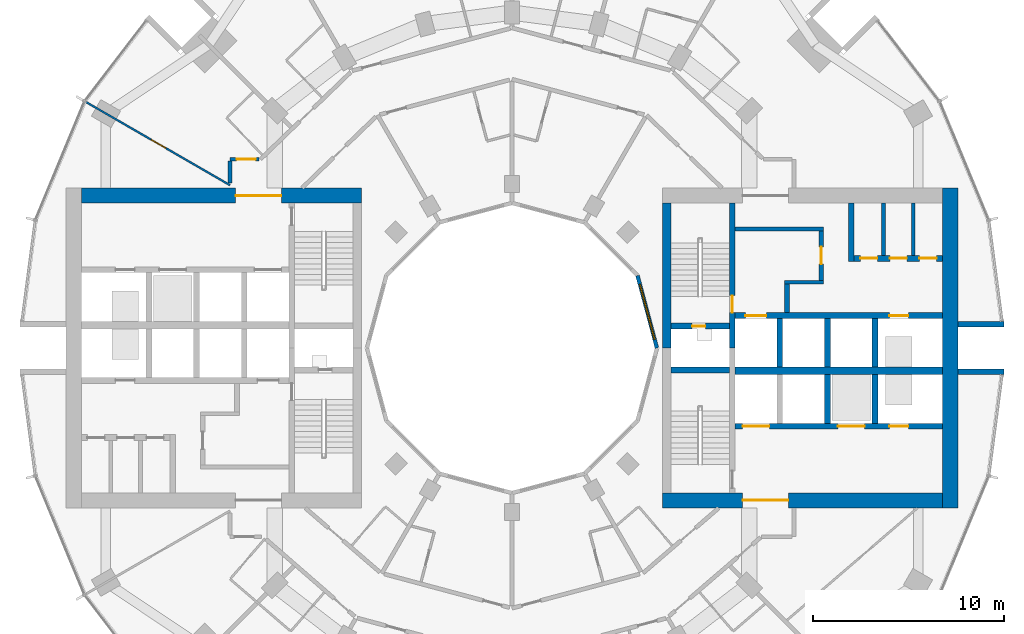
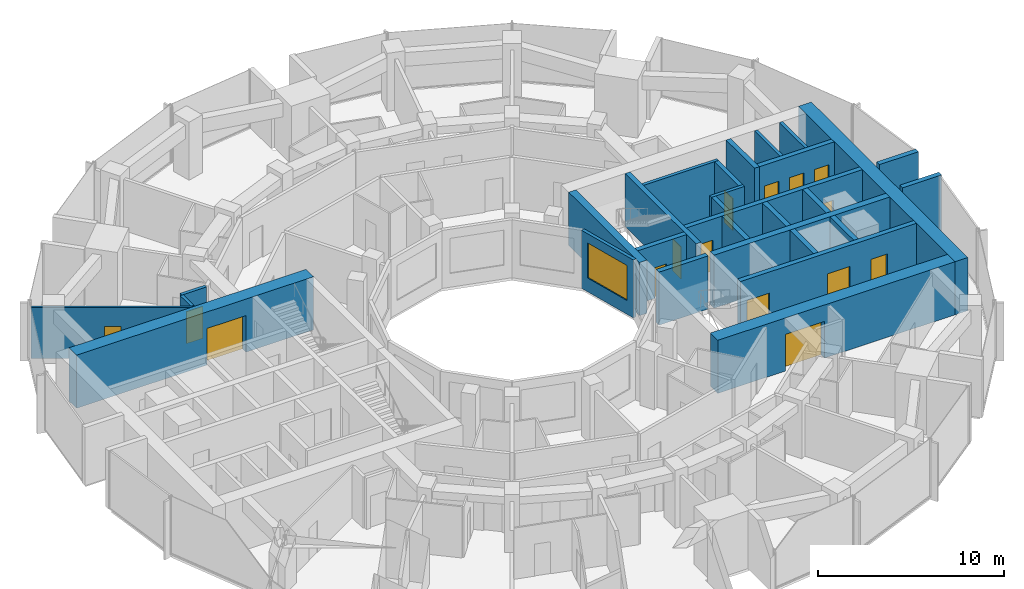
# One storey, part 11 of 15: 29 walls, 15 doors, 1 window, 16 openings.
"""IFC4 building model written with IfcOpenShell, lengths in metres."""

from ifc_helpers import new_model, si_unit, direction, frame, frame_2d, origin, place, context, subcontext, project, spatial, rectangle, extrude, material, layer, layer_set, type_object, element, fill, save


model = new_model("IFC4")

# Units and contexts
model_context = context("Model", 3, precision=1e-05, world=origin(), true_north=direction((0.0, 1.0)))
body_context = subcontext(model_context, "Body", "Model", "MODEL_VIEW")
ifc_project = project(units=[si_unit("LENGTHUNIT", "METRE"), si_unit("AREAUNIT", "SQUARE_METRE"), si_unit("VOLUMEUNIT", "CUBIC_METRE"), si_unit("PLANEANGLEUNIT", "RADIAN"), si_unit("MASSUNIT", "GRAM", prefix="KILO")], contexts=[model_context])

# Site, building, storey
site_placement = place(None, origin())
site = spatial("IfcSite", under=ifc_project, at=site_placement, CompositionType="ELEMENT")
building_placement = place(site_placement, origin())
building = spatial("IfcBuilding", under=site, at=building_placement, Name="Torre Brocal", CompositionType="ELEMENT")
storey_placement = place(building_placement, frame((0.0, 0.0, 55.39990234375)))
storey = spatial("IfcBuildingStorey", under=building, at=storey_placement, Name="L12", CompositionType="ELEMENT", Elevation=55.39990234375)

# Walls
ifc_material_1 = material(Name="Masonry block", Category="masonry")
ifc_layer_1 = layer(ifc_material_1, 0.199951171875)
ifc_layer_set_1 = layer_set([ifc_layer_1], Name="Masonry block")
wall_type_1 = type_object("IfcWallType", Name="CORE PARTITION 200", PredefinedType="PARTITIONING", material=ifc_layer_set_1)
for number, where, z_axis, x_axis, name in (
    (1, (99.5, 79.85009765625, 0.0), (0.0, 0.0, 1.0), (0.0, 1.0, 0.0), "Wall CP200"),
    (2, (101.050048828125, 79.85009765625, 0.0), (0.0, 0.0, 1.0), (0.0, 1.0, 0.0), "Wall CP200"),
):
    element("IfcWall", number, at=place(storey_placement, frame(where, z_axis=z_axis, x_axis=x_axis)), inside=storey, type_object=wall_type_1, Name=name, PredefinedType="PARTITIONING", context=body_context, shape_type="SweptSolid", body=[
        extrude(rectangle(XDim=2.75, YDim=0.199951171875, at=frame_2d((1.375, 0.0))), origin(), (0.0, 0.0, 1.0), 3.47998046875),
    ])
ifc_material_2 = material(Name="Concrete C80", Category="concrete")
ifc_layer_2 = layer(ifc_material_2, 0.199951171875)
ifc_layer_set_2 = layer_set([ifc_layer_2], Name="Concrete C80")
wall_type_2 = type_object("IfcWallType", Name="CORE WALL 200 C80", PredefinedType="SHEAR", material=ifc_layer_set_2)
wall_1_placement = place(storey_placement, frame((91.699951171875, 81.25, 0.0), z_axis=(0.0, 0.0, 1.0), x_axis=(1.0, 0.0, 0.0)))
element("IfcWall", 3, at=wall_1_placement, inside=storey, type_object=wall_type_2, Name="Wall CW200-80", PredefinedType="SHEAR", context=body_context, shape_type="SweptSolid", body=[
    extrude(rectangle(XDim=4.650146484375, YDim=0.199951171875, at=frame_2d((2.3251953125, 0.0))), origin(), (0.0, 0.0, 1.0), 3.47998046875),
])
wall_2_placement = place(storey_placement, frame((94.300048828125, 78.449951171875, 0.0), z_axis=(0.0, 0.0, 1.0), x_axis=(1.0, 0.0, 0.0)))
element("IfcWall", 4, at=wall_2_placement, inside=storey, type_object=wall_type_2, Name="Wall CW200-80", PredefinedType="SHEAR", context=body_context, shape_type="SweptSolid", body=[
    extrude(rectangle(XDim=2.050048828125, YDim=0.199951171875, at=frame_2d((1.02490234375, 0.0))), origin(), (0.0, 0.0, 1.0), 3.47998046875),
])

# Wall, opening, door
ifc_material_3 = material(Name="Concrete C80", Category="concrete")
ifc_layer_3 = layer(ifc_material_3, 0.25)
ifc_layer_set_3 = layer_set([ifc_layer_3], Name="Concrete C80")
wall_type_3 = type_object("IfcWallType", Name="CORE WALL 250 C80", PredefinedType="SHEAR", material=ifc_layer_set_3)
wall_3_placement = place(storey_placement, frame((96.22509765625, 78.550048828125, 0.0), z_axis=(0.0, 0.0, 1.0), x_axis=(0.0, 1.0, 0.0)))
wall_3 = element("IfcWall", 5, at=wall_3_placement, inside=storey, type_object=wall_type_3, Name="Wall CW250-80", PredefinedType="SHEAR", context=body_context, shape_type="SweptSolid", body=[
    extrude(rectangle(XDim=2.599853515625, YDim=0.25, at=frame_2d((1.2998046875, 0.0))), origin(), (0.0, 0.0, 1.0), 3.47998046875),
])
opening_1_placement = place(wall_3_placement, frame((0.85009765625, 0.0, 0.0)))
opening_1 = element("IfcOpeningElement", 6, at=opening_1_placement, cuts=wall_3, Name="Opening E-D15", PredefinedType="OPENING", context=body_context, shape_type="SweptSolid", body=[
    extrude(rectangle(XDim=0.89990234375, YDim=2.10009765625, at=frame_2d((0.449951171875, 1.050048828125))), frame((0.0, 0.135009765625, 0.0), z_axis=(0.0, -1.0, 0.0), x_axis=(1.0, 0.0, 0.0)), (0.0, 0.0, 1.0), 0.27001953125),
])
ifc_material_4 = material(Name="Steel A653", Category="steel")
door_type_1 = type_object("IfcDoorType", Name="LOBBY DOOR FD120 900X2100", OperationType="SINGLE_SWING_RIGHT", PredefinedType="DOOR", material=ifc_material_4)
door_1_placement = place(opening_1_placement, origin())
door_1 = element("IfcDoor", 7, at=door_1_placement, inside=storey, type_object=door_type_1, Name="Door E-D15", OperationType="SINGLE_SWING_LEFT", OverallHeight=2.10009765625, OverallWidth=0.89990234375, PredefinedType="DOOR", context=body_context, shape_type="SweptSolid", body=[
    extrude(rectangle(XDim=0.89990234375, YDim=2.10009765625, at=frame_2d((0.449951171875, 1.050048828125))), frame((0.0, 0.02490234375, 0.0), z_axis=(0.0, -1.0, 0.0), x_axis=(1.0, 0.0, 0.0)), (0.0, 0.0, 1.0), 0.050048828125),
])
fill(opening_1, door_1)

# Wall
wall_4_placement = place(storey_placement, frame((94.425048828125, 76.85009765625, 0.0), z_axis=(0.0, 0.0, 1.0), x_axis=(0.0, 1.0, 0.0)))
element("IfcWall", 8, at=wall_4_placement, inside=storey, type_object=wall_type_3, Name="Wall CW250-80", PredefinedType="SHEAR", context=body_context, shape_type="SweptSolid", body=[
    extrude(rectangle(XDim=1.5, YDim=0.25, at=frame_2d((0.75, 0.0))), origin(), (0.0, 0.0, 1.0), 3.47998046875),
])

# Wall, opening, door
ifc_material_5 = material(Name="Concrete C80", Category="concrete")
ifc_layer_4 = layer(ifc_material_5, 0.300048828125)
ifc_layer_set_4 = layer_set([ifc_layer_4], Name="Concrete C80")
wall_type_4 = type_object("IfcWallType", Name="CORE WALL 300 C80", PredefinedType="SHEAR", material=ifc_layer_set_4)
wall_5_placement = place(storey_placement, frame((91.550048828125, 75.0, 0.0), z_axis=(0.0, 0.0, 1.0), x_axis=(0.0, 1.0, 0.0)))
wall_5 = element("IfcWall", 9, at=wall_5_placement, inside=storey, type_object=wall_type_4, Name="Wall CW300-80", PredefinedType="SHEAR", context=body_context, shape_type="SweptSolid", body=[
    extrude(rectangle(XDim=7.60009765625, YDim=0.300048828125, at=frame_2d((3.800048828125, 0.0))), origin(), (0.0, 0.0, 1.0), 3.47998046875),
])
opening_2_placement = place(wall_5_placement, frame((1.85009765625, 0.0, 0.0)))
opening_2 = element("IfcOpeningElement", 10, at=opening_2_placement, cuts=wall_5, Name="Opening E-D02", PredefinedType="OPENING", context=body_context, shape_type="SweptSolid", body=[
    extrude(rectangle(XDim=0.89990234375, YDim=2.10009765625, at=frame_2d((0.449951171875, 1.050048828125))), frame((0.0, 0.159912109375, 0.0), z_axis=(0.0, -1.0, 0.0), x_axis=(1.0, 0.0, 0.0)), (0.0, 0.0, 1.0), 0.320068359375),
])
ifc_material_6 = material(Name="Steel A653", Category="steel")
door_type_2 = type_object("IfcDoorType", Name="STAIR DOOR FD120 900X2100", OperationType="SINGLE_SWING_RIGHT", PredefinedType="DOOR", material=ifc_material_6)
door_2_placement = place(opening_2_placement, origin())
door_2 = element("IfcDoor", 11, at=door_2_placement, inside=storey, type_object=door_type_2, Name="Door E-D02", OperationType="SINGLE_SWING_LEFT", OverallHeight=2.10009765625, OverallWidth=0.89990234375, PredefinedType="DOOR", context=body_context, shape_type="SweptSolid", body=[
    extrude(rectangle(XDim=0.89990234375, YDim=2.10009765625, at=frame_2d((0.449951171875, 1.050048828125))), frame((0.0, 0.02490234375, 0.0), z_axis=(0.0, -1.0, 0.0), x_axis=(1.0, 0.0, 0.0)), (0.0, 0.0, 1.0), 0.050048828125),
])
fill(opening_2, door_2)

wall_6_placement = place(storey_placement, frame((88.35009765625, 76.14990234375, 0.0), z_axis=(0.0, 0.0, 1.0), x_axis=(1.0, 0.0, 0.0)))
wall_6 = element("IfcWall", 12, at=wall_6_placement, inside=storey, type_object=wall_type_4, Name="Wall CW300-80", PredefinedType="SHEAR", context=body_context, shape_type="SweptSolid", body=[
    extrude(rectangle(XDim=3.0498046875, YDim=0.300048828125, at=frame_2d((1.52490234375, 0.0))), origin(), (0.0, 0.0, 1.0), 3.47998046875),
])
opening_3_placement = place(wall_6_placement, frame((1.10009765625, 0.0, 0.0)))
opening_3 = element("IfcOpeningElement", 13, at=opening_3_placement, cuts=wall_6, Name="Opening E-D01", PredefinedType="OPENING", context=body_context, shape_type="SweptSolid", body=[
    extrude(rectangle(XDim=0.699951171875, YDim=2.0, at=frame_2d((0.35009765625, 1.0))), frame((0.0, 0.159912109375, 0.0), z_axis=(0.0, -1.0, 0.0), x_axis=(1.0, 0.0, 0.0)), (0.0, 0.0, 1.0), 0.320068359375),
])
ifc_material_7 = material(Name="Steel A653", Category="steel")
door_type_3 = type_object("IfcDoorType", Name="RISER DOOR FD120 700X2000", OperationType="SINGLE_SWING_LEFT", PredefinedType="DOOR", material=ifc_material_7)
door_3_placement = place(opening_3_placement, frame((0.699951171875, 0.0, 0.0), z_axis=(0.0, 0.0, 1.0), x_axis=(-1.0, 0.0, 0.0)))
door_3 = element("IfcDoor", 14, at=door_3_placement, inside=storey, type_object=door_type_3, Name="Door E-D01", OperationType="SINGLE_SWING_RIGHT", OverallHeight=2.0, OverallWidth=0.699951171875, PredefinedType="DOOR", context=body_context, shape_type="SweptSolid", body=[
    extrude(rectangle(XDim=0.699951171875, YDim=2.0, at=frame_2d((0.35009765625, 1.0))), frame((0.0, 0.02490234375, 0.0), z_axis=(0.0, -1.0, 0.0), x_axis=(1.0, 0.0, 0.0)), (0.0, 0.0, 1.0), 0.050048828125),
])
fill(opening_3, door_3)

# Wall
wall_7_placement = place(storey_placement, frame((88.35009765625, 73.85009765625, 0.0), z_axis=(0.0, 0.0, 1.0), x_axis=(1.0, 0.0, 0.0)))
element("IfcWall", 15, at=wall_7_placement, inside=storey, type_object=wall_type_4, Name="Wall CW300-80", PredefinedType="SHEAR", context=body_context, shape_type="SweptSolid", body=[
    extrude(rectangle(XDim=3.0498046875, YDim=0.300048828125, at=frame_2d((1.52490234375, 0.0))), origin(), (0.0, 0.0, 1.0), 3.47998046875),
])

# Wall, openings, doors
wall_8_placement = place(storey_placement, frame((91.699951171875, 76.699951171875, 0.0), z_axis=(0.0, 0.0, 1.0), x_axis=(1.0, 0.0, 0.0)))
wall_8 = element("IfcWall", 16, at=wall_8_placement, inside=storey, type_object=wall_type_4, Name="Wall CW300-80", PredefinedType="SHEAR", context=body_context, shape_type="SweptSolid", body=[
    extrude(rectangle(XDim=10.900146484375, YDim=0.300048828125, at=frame_2d((5.4501953125, 0.0))), origin(), (0.0, 0.0, 1.0), 3.47998046875),
])
opening_4_placement = place(wall_8_placement, frame((0.550048828125, 0.0, 0.0)))
opening_4 = element("IfcOpeningElement", 17, at=opening_4_placement, cuts=wall_8, Name="Opening LD", PredefinedType="OPENING", context=body_context, shape_type="SweptSolid", body=[
    extrude(rectangle(XDim=1.10009765625, YDim=2.10009765625, at=frame_2d((0.550048828125, 1.050048828125))), frame((0.0, 0.159912109375, 0.0), z_axis=(0.0, -1.0, 0.0), x_axis=(1.0, 0.0, 0.0)), (0.0, 0.0, 1.0), 0.320068359375),
])
opening_5_placement = place(wall_8_placement, frame((8.10009765625, 0.0, 0.0)))
opening_5 = element("IfcOpeningElement", 18, at=opening_5_placement, cuts=wall_8, Name="Opening LD10", PredefinedType="OPENING", context=body_context, shape_type="SweptSolid", body=[
    extrude(rectangle(XDim=1.0, YDim=2.10009765625, at=frame_2d((0.5, 1.050048828125))), frame((0.0, 0.159912109375, 0.0), z_axis=(0.0, -1.0, 0.0), x_axis=(1.0, 0.0, 0.0)), (0.0, 0.0, 1.0), 0.320068359375),
])
ifc_material_8 = material(Name="Stainless steel AISI 316", Category="steel")
door_type_4 = type_object("IfcDoorType", Name="LIFT LANDING DOOR 1000X2100", OperationType="DOUBLE_DOOR_SLIDING", PredefinedType="DOOR", material=ifc_material_8)
door_4_placement = place(opening_5_placement, origin())
door_4 = element("IfcDoor", 19, at=door_4_placement, inside=storey, type_object=door_type_4, Name="Door LD10", OperationType="DOUBLE_DOOR_SLIDING", OverallHeight=2.10009765625, OverallWidth=1.0, PredefinedType="DOOR", context=body_context, shape_type="SweptSolid", body=[
    extrude(rectangle(XDim=1.0, YDim=2.10009765625, at=frame_2d((0.5, 1.050048828125))), frame((0.0, 0.02490234375, 0.0), z_axis=(0.0, -1.0, 0.0), x_axis=(1.0, 0.0, 0.0)), (0.0, 0.0, 1.0), 0.050048828125),
])
fill(opening_5, door_4)
ifc_material_9 = material(Name="Stainless steel AISI 316", Category="steel")
door_type_5 = type_object("IfcDoorType", Name="LIFT LANDING DOOR 1100X2100", OperationType="DOUBLE_DOOR_SLIDING", PredefinedType="DOOR", material=ifc_material_9)
door_5_placement = place(opening_4_placement, origin())
door_5 = element("IfcDoor", 20, at=door_5_placement, inside=storey, type_object=door_type_5, Name="Door LD", OperationType="DOUBLE_DOOR_SLIDING", OverallHeight=2.10009765625, OverallWidth=1.10009765625, PredefinedType="DOOR", context=body_context, shape_type="SweptSolid", body=[
    extrude(rectangle(XDim=1.10009765625, YDim=2.10009765625, at=frame_2d((0.550048828125, 1.050048828125))), frame((0.0, 0.02490234375, 0.0), z_axis=(0.0, -1.0, 0.0), x_axis=(1.0, 0.0, 0.0)), (0.0, 0.0, 1.0), 0.050048828125),
])
fill(opening_4, door_5)

wall_9_placement = place(storey_placement, frame((91.699951171875, 70.89990234375, 0.0), z_axis=(0.0, 0.0, 1.0), x_axis=(1.0, 0.0, 0.0)))
wall_9 = element("IfcWall", 21, at=wall_9_placement, inside=storey, type_object=wall_type_4, Name="Wall CW300-80", PredefinedType="SHEAR", context=body_context, shape_type="SweptSolid", body=[
    extrude(rectangle(XDim=10.900146484375, YDim=0.300048828125, at=frame_2d((5.4501953125, 0.0))), origin(), (0.0, 0.0, 1.0), 3.47998046875),
])
opening_6_placement = place(wall_9_placement, frame((0.39990234375, 0.0, 0.0)))
opening_6 = element("IfcOpeningElement", 22, at=opening_6_placement, cuts=wall_9, Name="Opening LD14", PredefinedType="OPENING", context=body_context, shape_type="SweptSolid", body=[
    extrude(rectangle(XDim=1.39990234375, YDim=2.10009765625, at=frame_2d((0.699951171875, 1.050048828125))), frame((0.0, 0.159912109375, 0.0), z_axis=(0.0, -1.0, 0.0), x_axis=(1.0, 0.0, 0.0)), (0.0, 0.0, 1.0), 0.320068359375),
])
opening_7_placement = place(wall_9_placement, frame((5.39990234375, 0.0, 0.0)))
opening_7 = element("IfcOpeningElement", 23, at=opening_7_placement, cuts=wall_9, Name="Opening LD14", PredefinedType="OPENING", context=body_context, shape_type="SweptSolid", body=[
    extrude(rectangle(XDim=1.39990234375, YDim=2.10009765625, at=frame_2d((0.699951171875, 1.050048828125))), frame((0.0, 0.159912109375, 0.0), z_axis=(0.0, -1.0, 0.0), x_axis=(1.0, 0.0, 0.0)), (0.0, 0.0, 1.0), 0.320068359375),
])
opening_8_placement = place(wall_9_placement, frame((8.10009765625, 0.0, 0.0)))
opening_8 = element("IfcOpeningElement", 24, at=opening_8_placement, cuts=wall_9, Name="Opening LD10", PredefinedType="OPENING", context=body_context, shape_type="SweptSolid", body=[
    extrude(rectangle(XDim=1.0, YDim=2.10009765625, at=frame_2d((0.5, 1.050048828125))), frame((0.0, 0.159912109375, 0.0), z_axis=(0.0, -1.0, 0.0), x_axis=(1.0, 0.0, 0.0)), (0.0, 0.0, 1.0), 0.320068359375),
])
door_6_placement = place(opening_8_placement, origin())
door_6 = element("IfcDoor", 25, at=door_6_placement, inside=storey, type_object=door_type_4, Name="Door LD10", OperationType="DOUBLE_DOOR_SLIDING", OverallHeight=2.10009765625, OverallWidth=1.0, PredefinedType="DOOR", context=body_context, shape_type="SweptSolid", body=[
    extrude(rectangle(XDim=1.0, YDim=2.10009765625, at=frame_2d((0.5, 1.050048828125))), frame((0.0, 0.02490234375, 0.0), z_axis=(0.0, -1.0, 0.0), x_axis=(1.0, 0.0, 0.0)), (0.0, 0.0, 1.0), 0.050048828125),
])
fill(opening_8, door_6)
ifc_material_10 = material(Name="Stainless steel AISI 316", Category="steel")
door_type_6 = type_object("IfcDoorType", Name="LIFT LANDING DOOR 1400X2100", OperationType="DOUBLE_DOOR_SLIDING", PredefinedType="DOOR", material=ifc_material_10)
door_7_placement = place(opening_6_placement, origin())
door_7 = element("IfcDoor", 26, at=door_7_placement, inside=storey, type_object=door_type_6, Name="Door LD14", OperationType="DOUBLE_DOOR_SLIDING", OverallHeight=2.10009765625, OverallWidth=1.39990234375, PredefinedType="DOOR", context=body_context, shape_type="SweptSolid", body=[
    extrude(rectangle(XDim=1.39990234375, YDim=2.10009765625, at=frame_2d((0.699951171875, 1.050048828125))), frame((0.0, 0.02490234375, 0.0), z_axis=(0.0, -1.0, 0.0), x_axis=(1.0, 0.0, 0.0)), (0.0, 0.0, 1.0), 0.050048828125),
])
fill(opening_6, door_7)
door_8_placement = place(opening_7_placement, origin())
door_8 = element("IfcDoor", 27, at=door_8_placement, inside=storey, type_object=door_type_6, Name="Door LD14", OperationType="DOUBLE_DOOR_SLIDING", OverallHeight=2.10009765625, OverallWidth=1.39990234375, PredefinedType="DOOR", context=body_context, shape_type="SweptSolid", body=[
    extrude(rectangle(XDim=1.39990234375, YDim=2.10009765625, at=frame_2d((0.699951171875, 1.050048828125))), frame((0.0, 0.02490234375, 0.0), z_axis=(0.0, -1.0, 0.0), x_axis=(1.0, 0.0, 0.0)), (0.0, 0.0, 1.0), 0.050048828125),
])
fill(opening_7, door_8)

# Walls
for number, where, z_axis, x_axis, name in (
    (28, (94.050048828125, 74.0, 0.0), (0.0, 0.0, 1.0), (0.0, 1.0, 0.0), "Wall CW300-80"),
    (29, (96.550048828125, 74.0, 0.0), (0.0, 0.0, 1.0), (0.0, 1.0, 0.0), "Wall CW300-80"),
    (30, (99.050048828125, 74.0, 0.0), (0.0, 0.0, 1.0), (0.0, 1.0, 0.0), "Wall CW300-80"),
    (31, (96.550048828125, 71.050048828125, 0.0), (0.0, 0.0, 1.0), (0.0, 1.0, 0.0), "Wall CW300-80"),
    (32, (99.050048828125, 71.050048828125, 0.0), (0.0, 0.0, 1.0), (0.0, 1.0, 0.0), "Wall CW300-80"),
):
    element("IfcWall", number, at=place(storey_placement, frame(where, z_axis=z_axis, x_axis=x_axis)), inside=storey, type_object=wall_type_4, Name=name, PredefinedType="SHEAR", context=body_context, shape_type="SweptSolid", body=[
        extrude(rectangle(XDim=2.550048828125, YDim=0.300048828125, at=frame_2d((1.27490234375, 0.0))), origin(), (0.0, 0.0, 1.0), 3.47998046875),
    ])
wall_10_placement = place(storey_placement, frame((97.800048828125, 79.550048828125, 0.0), z_axis=(0.0, 0.0, 1.0), x_axis=(0.0, 1.0, 0.0)))
element("IfcWall", 33, at=wall_10_placement, inside=storey, type_object=wall_type_4, Name="Wall CW300-80", PredefinedType="SHEAR", context=body_context, shape_type="SweptSolid", body=[
    extrude(rectangle(XDim=3.050048828125, YDim=0.300048828125, at=frame_2d((1.52490234375, 0.0))), origin(), (0.0, 0.0, 1.0), 3.47998046875),
])

# Wall, openings, doors
wall_11_placement = place(storey_placement, frame((97.949951171875, 79.699951171875, 0.0), z_axis=(0.0, 0.0, 1.0), x_axis=(1.0, 0.0, 0.0)))
wall_11 = element("IfcWall", 34, at=wall_11_placement, inside=storey, type_object=wall_type_4, Name="Wall CW300-80", PredefinedType="SHEAR", context=body_context, shape_type="SweptSolid", body=[
    extrude(rectangle(XDim=4.650146484375, YDim=0.300048828125, at=frame_2d((2.3251953125, 0.0))), origin(), (0.0, 0.0, 1.0), 3.47998046875),
])
opening_9_placement = place(wall_11_placement, frame((0.324951171875, 0.0, 0.0)))
opening_9 = element("IfcOpeningElement", 35, at=opening_9_placement, cuts=wall_11, Name="Opening E-D05", PredefinedType="OPENING", context=body_context, shape_type="SweptSolid", body=[
    extrude(rectangle(XDim=0.89990234375, YDim=2.10009765625, at=frame_2d((0.449951171875, 1.050048828125))), frame((0.0, 0.159912109375, 0.0), z_axis=(0.0, -1.0, 0.0), x_axis=(1.0, 0.0, 0.0)), (0.0, 0.0, 1.0), 0.320068359375),
])
opening_10_placement = place(wall_11_placement, frame((1.875, 0.0, 0.0)))
opening_10 = element("IfcOpeningElement", 36, at=opening_10_placement, cuts=wall_11, Name="Opening E-D06", PredefinedType="OPENING", context=body_context, shape_type="SweptSolid", body=[
    extrude(rectangle(XDim=0.89990234375, YDim=2.10009765625, at=frame_2d((0.449951171875, 1.050048828125))), frame((0.0, 0.159912109375, 0.0), z_axis=(0.0, -1.0, 0.0), x_axis=(1.0, 0.0, 0.0)), (0.0, 0.0, 1.0), 0.320068359375),
])
opening_11_placement = place(wall_11_placement, frame((3.425048828125, 0.0, 0.0)))
opening_11 = element("IfcOpeningElement", 37, at=opening_11_placement, cuts=wall_11, Name="Opening E-D07", PredefinedType="OPENING", context=body_context, shape_type="SweptSolid", body=[
    extrude(rectangle(XDim=0.89990234375, YDim=2.10009765625, at=frame_2d((0.449951171875, 1.050048828125))), frame((0.0, 0.159912109375, 0.0), z_axis=(0.0, -1.0, 0.0), x_axis=(1.0, 0.0, 0.0)), (0.0, 0.0, 1.0), 0.320068359375),
])
ifc_material_11 = material(Name="Steel A653", Category="steel")
door_type_7 = type_object("IfcDoorType", Name="ROOM DOOR FD30S 900X2100", OperationType="SINGLE_SWING_LEFT", PredefinedType="DOOR", material=ifc_material_11)
door_9_placement = place(opening_9_placement, origin())
door_9 = element("IfcDoor", 38, at=door_9_placement, inside=storey, type_object=door_type_7, Name="Door E-D05", OperationType="SINGLE_SWING_RIGHT", OverallHeight=2.10009765625, OverallWidth=0.89990234375, PredefinedType="DOOR", context=body_context, shape_type="SweptSolid", body=[
    extrude(rectangle(XDim=0.89990234375, YDim=2.10009765625, at=frame_2d((0.449951171875, 1.050048828125))), frame((0.0, 0.02490234375, 0.0), z_axis=(0.0, -1.0, 0.0), x_axis=(1.0, 0.0, 0.0)), (0.0, 0.0, 1.0), 0.050048828125),
])
fill(opening_9, door_9)
door_10_placement = place(opening_10_placement, origin())
door_10 = element("IfcDoor", 39, at=door_10_placement, inside=storey, type_object=door_type_7, Name="Door E-D06", OperationType="SINGLE_SWING_RIGHT", OverallHeight=2.10009765625, OverallWidth=0.89990234375, PredefinedType="DOOR", context=body_context, shape_type="SweptSolid", body=[
    extrude(rectangle(XDim=0.89990234375, YDim=2.10009765625, at=frame_2d((0.449951171875, 1.050048828125))), frame((0.0, 0.02490234375, 0.0), z_axis=(0.0, -1.0, 0.0), x_axis=(1.0, 0.0, 0.0)), (0.0, 0.0, 1.0), 0.050048828125),
])
fill(opening_10, door_10)
door_11_placement = place(opening_11_placement, origin())
door_11 = element("IfcDoor", 40, at=door_11_placement, inside=storey, type_object=door_type_7, Name="Door E-D07", OperationType="SINGLE_SWING_LEFT", OverallHeight=2.10009765625, OverallWidth=0.89990234375, PredefinedType="DOOR", context=body_context, shape_type="SweptSolid", body=[
    extrude(rectangle(XDim=0.89990234375, YDim=2.10009765625, at=frame_2d((0.449951171875, 1.050048828125))), frame((0.0, 0.02490234375, 0.0), z_axis=(0.0, -1.0, 0.0), x_axis=(1.0, 0.0, 0.0)), (0.0, 0.0, 1.0), 0.050048828125),
])
fill(opening_11, door_11)

# Walls
ifc_material_12 = material(Name="Concrete C80", Category="concrete")
ifc_layer_5 = layer(ifc_material_12, 0.39990234375)
ifc_layer_set_5 = layer_set([ifc_layer_5], Name="Concrete C80")
wall_type_5 = type_object("IfcWallType", Name="CORE WALL 400 C80", PredefinedType="SHEAR", material=ifc_layer_set_5)
wall_12_placement = place(storey_placement, frame((91.699951171875, 73.800048828125, 0.0), z_axis=(0.0, 0.0, 1.0), x_axis=(1.0, 0.0, 0.0)))
element("IfcWall", 41, at=wall_12_placement, inside=storey, type_object=wall_type_5, Name="Wall CW400-80", PredefinedType="SHEAR", context=body_context, shape_type="SweptSolid", body=[
    extrude(rectangle(XDim=10.900146484375, YDim=0.39990234375, at=frame_2d((5.4501953125, 0.0))), origin(), (0.0, 0.0, 1.0), 3.47998046875),
])
ifc_material_13 = material(Name="Concrete C80", Category="concrete")
ifc_layer_6 = layer(ifc_material_13, 0.449951171875)
ifc_layer_set_6 = layer_set([ifc_layer_6], Name="Concrete C80")
wall_type_6 = type_object("IfcWallType", Name="CORE WALL 450 C80", PredefinedType="SHEAR", material=ifc_layer_set_6)
wall_13_placement = place(storey_placement, frame((88.125, 75.0, 0.0), z_axis=(0.0, 0.0, 1.0), x_axis=(0.0, 1.0, 0.0)))
element("IfcWall", 42, at=wall_13_placement, inside=storey, type_object=wall_type_6, Name="Wall CW450-80", PredefinedType="SHEAR", context=body_context, shape_type="SweptSolid", body=[
    extrude(rectangle(XDim=7.60009765625, YDim=0.449951171875, at=frame_2d((3.800048828125, 0.0))), origin(), (0.0, 0.0, 1.0), 3.47998046875),
])

# Wall, opening, door
ifc_material_14 = material(Name="Concrete C80", Category="concrete")
ifc_layer_7 = layer(ifc_material_14, 0.800048828125)
ifc_layer_set_7 = layer_set([ifc_layer_7], Name="Concrete C80")
wall_type_7 = type_object("IfcWallType", Name="CORE WALL 800 C80", PredefinedType="SHEAR", material=ifc_layer_set_7)
wall_14_placement = place(storey_placement, frame((87.89990234375, 67.0, 0.0), z_axis=(0.0, 0.0, 1.0), x_axis=(1.0, 0.0, 0.0)))
wall_14 = element("IfcWall", 43, at=wall_14_placement, inside=storey, type_object=wall_type_7, Name="Wall CW800-80", PredefinedType="SHEAR", context=body_context, shape_type="SweptSolid", body=[
    extrude(rectangle(XDim=14.7001953125, YDim=0.800048828125, at=frame_2d((7.35009765625, 0.0))), origin(), (0.0, 0.0, 1.0), 3.47998046875),
])
opening_12_placement = place(wall_14_placement, frame((4.199951171875, 0.0, 0.0)))
opening_12 = element("IfcOpeningElement", 44, at=opening_12_placement, cuts=wall_14, Name="Opening E-D30", PredefinedType="OPENING", context=body_context, shape_type="SweptSolid", body=[
    extrude(rectangle(XDim=2.39990234375, YDim=2.39990234375, at=frame_2d((1.199951171875, 1.199951171875))), frame((0.0, 0.409912109375, 0.0), z_axis=(0.0, -1.0, 0.0), x_axis=(1.0, 0.0, 0.0)), (0.0, 0.0, 1.0), 0.820068359375),
])
ifc_material_15 = material(Name="Steel A653", Category="steel")
door_type_8 = type_object("IfcDoorType", Name="DOUBLE FIRE DOOR FD90 2400X2400", OperationType="DOUBLE_DOOR_SINGLE_SWING", PredefinedType="DOOR", material=ifc_material_15)
door_12_placement = place(opening_12_placement, origin())
door_12 = element("IfcDoor", 45, at=door_12_placement, inside=storey, type_object=door_type_8, Name="Door E-D30", OperationType="DOUBLE_DOOR_SINGLE_SWING", OverallHeight=2.39990234375, OverallWidth=2.39990234375, PredefinedType="DOOR", context=body_context, shape_type="SweptSolid", body=[
    extrude(rectangle(XDim=2.39990234375, YDim=2.39990234375, at=frame_2d((1.199951171875, 1.199951171875))), frame((0.0, 0.02490234375, 0.0), z_axis=(0.0, -1.0, 0.0), x_axis=(1.0, 0.0, 0.0)), (0.0, 0.0, 1.0), 0.050048828125),
])
fill(opening_12, door_12)

# Wall
wall_15_placement = place(storey_placement, frame((103.0, 66.60009765625, 0.0), z_axis=(0.0, 0.0, 1.0), x_axis=(0.0, 1.0, 0.0)))
element("IfcWall", 46, at=wall_15_placement, inside=storey, type_object=wall_type_7, Name="Wall CW800-80", PredefinedType="SHEAR", context=body_context, shape_type="SweptSolid", body=[
    extrude(rectangle(XDim=16.7998046875, YDim=0.800048828125, at=frame_2d((8.39990234375, 0.0))), origin(), (0.0, 0.0, 1.0), 3.47998046875),
])

# Wall, opening, door
wall_16_placement = place(storey_placement, frame((72.10009765625, 83.0, 0.0), z_axis=(0.0, 0.0, 1.0), x_axis=(-1.0, 0.0, 0.0)))
wall_16 = element("IfcWall", 47, at=wall_16_placement, inside=storey, type_object=wall_type_7, Name="Wall CW800-80", PredefinedType="SHEAR", context=body_context, shape_type="SweptSolid", body=[
    extrude(rectangle(XDim=14.7001953125, YDim=0.800048828125, at=frame_2d((7.35009765625, 0.0))), origin(), (0.0, 0.0, 1.0), 3.47998046875),
])
opening_13_placement = place(wall_16_placement, frame((4.199951171875, 0.0, 0.0)))
opening_13 = element("IfcOpeningElement", 48, at=opening_13_placement, cuts=wall_16, Name="Opening W-D30", PredefinedType="OPENING", context=body_context, shape_type="SweptSolid", body=[
    extrude(rectangle(XDim=2.39990234375, YDim=2.39990234375, at=frame_2d((1.199951171875, 1.199951171875))), frame((0.0, 0.409912109375, 0.0), z_axis=(0.0, -1.0, 0.0), x_axis=(1.0, 0.0, 0.0)), (0.0, 0.0, 1.0), 0.820068359375),
])
door_13_placement = place(opening_13_placement, origin())
door_13 = element("IfcDoor", 49, at=door_13_placement, inside=storey, type_object=door_type_8, Name="Door W-D30", OperationType="DOUBLE_DOOR_SINGLE_SWING", OverallHeight=2.39990234375, OverallWidth=2.39990234375, PredefinedType="DOOR", context=body_context, shape_type="SweptSolid", body=[
    extrude(rectangle(XDim=2.39990234375, YDim=2.39990234375, at=frame_2d((1.199951171875, 1.199951171875))), frame((0.0, 0.02490234375, 0.0), z_axis=(0.0, -1.0, 0.0), x_axis=(1.0, 0.0, 0.0)), (0.0, 0.0, 1.0), 0.050048828125),
])
fill(opening_13, door_13)

# Walls
ifc_material_16 = material(Name="Concrete C80", Category="concrete")
ifc_layer_8 = layer(ifc_material_16, 0.300048828125)
ifc_layer_set_8 = layer_set([ifc_layer_8], Name="Concrete C80")
wall_type_8 = type_object("IfcWallType", Name="NOTCH RETURN WALL 300 C80", PredefinedType="NOTDEFINED", material=ifc_layer_set_8)
for number, where, z_axis, x_axis, name in (
    (50, (103.39990234375, 73.75, 0.0), (0.0, 0.0, 1.0), (1.0, 0.0, 0.0), "NOTCH RETURN WALL"),
    (51, (103.39990234375, 76.25, 0.0), (0.0, 0.0, 1.0), (1.0, 0.0, 0.0), "NOTCH RETURN WALL"),
):
    element("IfcWall", number, at=place(storey_placement, frame(where, z_axis=z_axis, x_axis=x_axis)), inside=storey, type_object=wall_type_8, Name=name, PredefinedType="NOTDEFINED", context=body_context, shape_type="SweptSolid", body=[
        extrude(rectangle(XDim=2.415771484375, YDim=0.300048828125, at=frame_2d((1.2080078125, 0.0))), origin(), (0.0, 0.0, 1.0), 3.800048828125),
    ])

# Wall, opening, door
ifc_material_17 = material(Name="Gypsum board", Category="Gypsum")
ifc_layer_9 = layer(ifc_material_17, 0.10009765625)
ifc_layer_set_9 = layer_set([ifc_layer_9], Name="Gypsum board")
wall_type_9 = type_object("IfcWallType", Name="PARTITION 100", PredefinedType="PARTITIONING", material=ifc_layer_set_9)
wall_17_placement = place(storey_placement, frame((57.65869140625, 87.89892578125, 0.0), z_axis=(0.0, 0.0, 1.0), x_axis=(0.86602264145, -0.500004784474, 0.0)))
wall_17 = element("IfcWall", 52, at=wall_17_placement, inside=storey, type_object=wall_type_9, Name="ROOM PARTITION", PredefinedType="PARTITIONING", context=body_context, shape_type="SweptSolid", body=[
    extrude(rectangle(XDim=8.7080078125, YDim=0.10009765625, at=frame_2d((4.35400390625, 0.0))), origin(), (0.0, 0.0, 1.0), 3.35009765625),
])
opening_14_placement = place(wall_17_placement, frame((3.928955078125, 0.0, 0.0)))
opening_14 = element("IfcOpeningElement", 53, at=opening_14_placement, cuts=wall_17, Name="Opening H03-D13", PredefinedType="OPENING", context=body_context, shape_type="SweptSolid", body=[
    extrude(rectangle(XDim=0.89990234375, YDim=2.10009765625, at=frame_2d((0.449951171875, 1.050048828125))), frame((0.0, 0.06005859375, 0.0), z_axis=(0.0, -1.0, 0.0), x_axis=(1.0, 0.0, 0.0)), (0.0, 0.0, 1.0), 0.1201171875),
])
ifc_material_18 = material(Name="Timber", Category="wood")
door_type_9 = type_object("IfcDoorType", Name="ROOM DOOR 900X2100", OperationType="SINGLE_SWING_LEFT", PredefinedType="DOOR", material=ifc_material_18)
door_14_placement = place(opening_14_placement, frame((0.89990234375, 0.0, 0.0), z_axis=(0.0, 0.0, 1.0), x_axis=(-1.0, 0.0, 0.0)))
door_14 = element("IfcDoor", 54, at=door_14_placement, inside=storey, type_object=door_type_9, Name="H03-D13", OperationType="SINGLE_SWING_LEFT", OverallHeight=2.10009765625, OverallWidth=0.89990234375, PredefinedType="DOOR", context=body_context, shape_type="SweptSolid", body=[
    extrude(rectangle(XDim=0.89990234375, YDim=2.10009765625, at=frame_2d((0.449951171875, 1.050048828125))), frame((0.0, 0.02490234375, 0.0), z_axis=(0.0, -1.0, 0.0), x_axis=(1.0, 0.0, 0.0)), (0.0, 0.0, 1.0), 0.050048828125),
])
fill(opening_14, door_14)

# Wall
ifc_material_19 = material(Name="Gypsum board", Category="Gypsum")
ifc_layer_10 = layer(ifc_material_19, 0.199951171875)
ifc_layer_set_10 = layer_set([ifc_layer_10], Name="Gypsum board")
wall_type_10 = type_object("IfcWallType", Name="PARTITION 200 EI60", PredefinedType="PARTITIONING", material=ifc_layer_set_10)
wall_18_placement = place(storey_placement, frame((65.199951171875, 83.64990234375, 0.0), z_axis=(0.0, 0.0, 1.0), x_axis=(0.0, 1.0, 0.0)))
element("IfcWall", 55, at=wall_18_placement, inside=storey, type_object=wall_type_10, Name="GUESTROOM CORRIDOR WALL", PredefinedType="PARTITIONING", context=body_context, shape_type="SweptSolid", body=[
    extrude(rectangle(XDim=1.150146484375, YDim=0.199951171875, at=frame_2d((0.5751953125, 0.0))), origin(), (0.0, 0.0, 1.0), 3.35009765625),
])

# Wall, opening, door
wall_19_placement = place(storey_placement, frame((65.199951171875, 84.89990234375, 0.0), z_axis=(0.0, 0.0, 1.0), x_axis=(1.0, 0.0, 0.0)))
wall_19 = element("IfcWall", 56, at=wall_19_placement, inside=storey, type_object=wall_type_10, Name="GUESTROOM CORRIDOR WALL", PredefinedType="PARTITIONING", context=body_context, shape_type="SweptSolid", body=[
    extrude(rectangle(XDim=1.537109375, YDim=0.199951171875, at=frame_2d((0.7685546875, 0.0))), origin(), (0.0, 0.0, 1.0), 3.35009765625),
])
opening_15_placement = place(wall_19_placement, frame((0.346923828125, 0.0, 0.0)))
opening_15 = element("IfcOpeningElement", 57, at=opening_15_placement, cuts=wall_19, Name="Opening H03-D11", PredefinedType="OPENING", context=body_context, shape_type="SweptSolid", body=[
    extrude(rectangle(XDim=1.0, YDim=2.10009765625, at=frame_2d((0.5, 1.050048828125))), frame((0.0, 0.10986328125, 0.0), z_axis=(0.0, -1.0, 0.0), x_axis=(1.0, 0.0, 0.0)), (0.0, 0.0, 1.0), 0.219970703125),
])
ifc_material_20 = material(Name="Timber", Category="wood")
door_type_10 = type_object("IfcDoorType", Name="FLAT ENTRY DOOR FD30S 1000X2100", OperationType="SINGLE_SWING_RIGHT", PredefinedType="DOOR", material=ifc_material_20)
door_15_placement = place(opening_15_placement, origin())
door_15 = element("IfcDoor", 58, at=door_15_placement, inside=storey, type_object=door_type_10, Name="H03-D11", OperationType="SINGLE_SWING_LEFT", OverallHeight=2.10009765625, OverallWidth=1.0, PredefinedType="DOOR", context=body_context, shape_type="SweptSolid", body=[
    extrude(rectangle(XDim=1.0, YDim=2.10009765625, at=frame_2d((0.5, 1.050048828125))), frame((0.0, 0.02490234375, 0.0), z_axis=(0.0, -1.0, 0.0), x_axis=(1.0, 0.0, 0.0)), (0.0, 0.0, 1.0), 0.050048828125),
])
fill(opening_15, door_15)

# Wall, opening, window
ifc_material_21 = material(Name="Concrete C40", Category="concrete")
ifc_layer_11 = layer(ifc_material_21, 0.199951171875)
ifc_layer_set_11 = layer_set([ifc_layer_11], Name="Concrete C40")
wall_type_11 = type_object("IfcWallType", Name="WELL FACADE WALL 200", PredefinedType="NOTDEFINED", material=ifc_layer_set_11)
wall_20_placement = place(storey_placement, frame((87.603515625, 75.0, 0.0), z_axis=(0.0, 0.0, 1.0), x_axis=(-0.258789828301, 0.965933654434, 0.0)))
wall_20 = element("IfcWall", 59, at=wall_20_placement, inside=storey, type_object=wall_type_11, Name="WELL FACADE WALL", PredefinedType="NOTDEFINED", context=body_context, shape_type="SweptSolid", body=[
    extrude(rectangle(XDim=3.935791015625, YDim=0.199951171875, at=frame_2d((1.9677734375, 0.0))), origin(), (0.0, 0.0, 1.0), 3.800048828125),
])
opening_16_placement = place(wall_20_placement, frame((0.468017578125, 0.0, 0.89990234375)))
opening_16 = element("IfcOpeningElement", 60, at=opening_16_placement, cuts=wall_20, Name="Opening W1", PredefinedType="OPENING", context=body_context, shape_type="SweptSolid", body=[
    extrude(rectangle(XDim=3.0, YDim=2.300048828125, at=frame_2d((1.5, 1.14990234375))), frame((0.0, 0.10986328125, 0.0), z_axis=(0.0, -1.0, 0.0), x_axis=(1.0, 0.0, 0.0)), (0.0, 0.0, 1.0), 0.219970703125),
])
ifc_material_22 = material(Name="Aluminium and glass", Category="aluminium")
window_type = type_object("IfcWindowType", Name="WELL WINDOW 3000X2300", PartitioningType="SINGLE_PANEL", PredefinedType="WINDOW", material=ifc_material_22)
window_placement = place(opening_16_placement, origin())
window = element("IfcWindow", 61, at=window_placement, inside=storey, type_object=window_type, Name="WELL WINDOW 3000X2300", OverallHeight=2.300048828125, OverallWidth=3.0, PartitioningType="SINGLE_PANEL", PredefinedType="WINDOW", context=body_context, shape_type="SweptSolid", body=[
    extrude(rectangle(XDim=3.0, YDim=2.300048828125, at=frame_2d((1.5, 1.14990234375))), frame((0.0, 0.030029296875, 0.0), z_axis=(0.0, -1.0, 0.0), x_axis=(1.0, 0.0, 0.0)), (0.0, 0.0, 1.0), 0.06005859375),
])
fill(opening_16, window)

save(model, "model.ifc")
